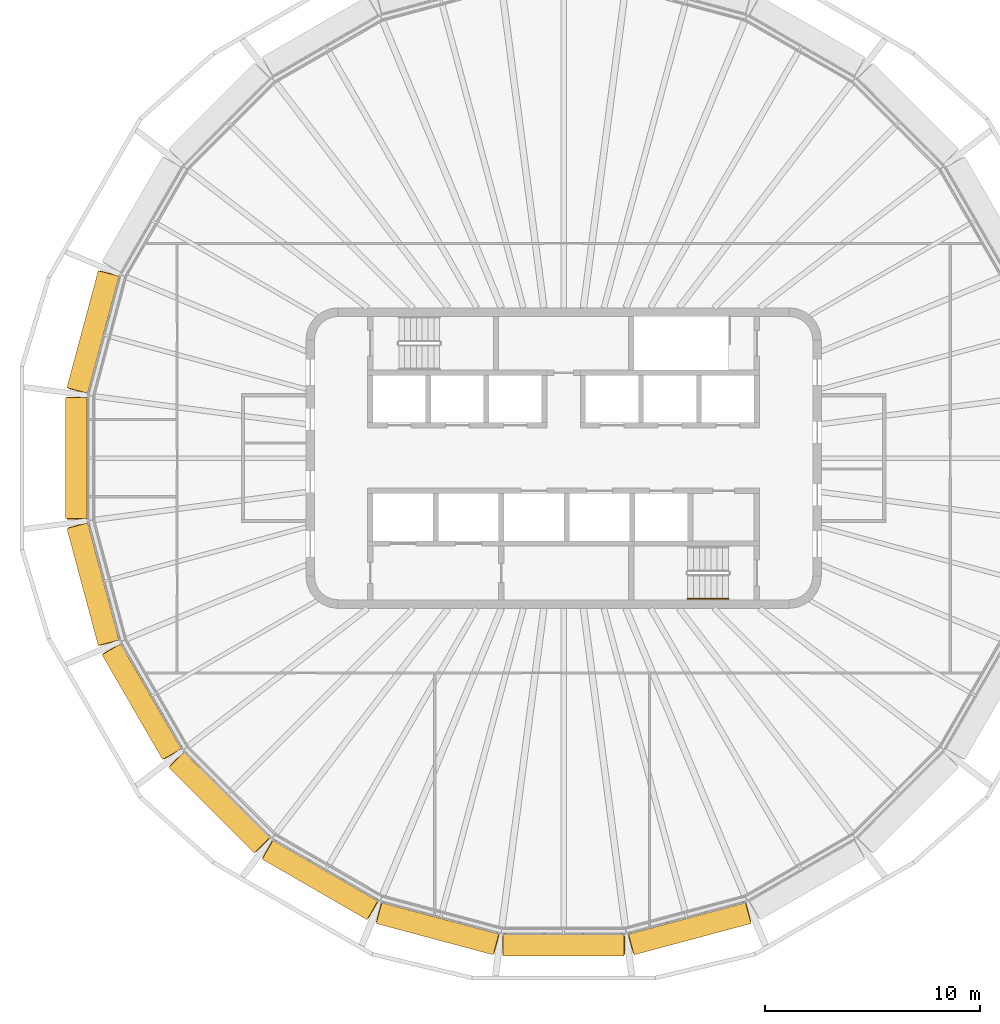
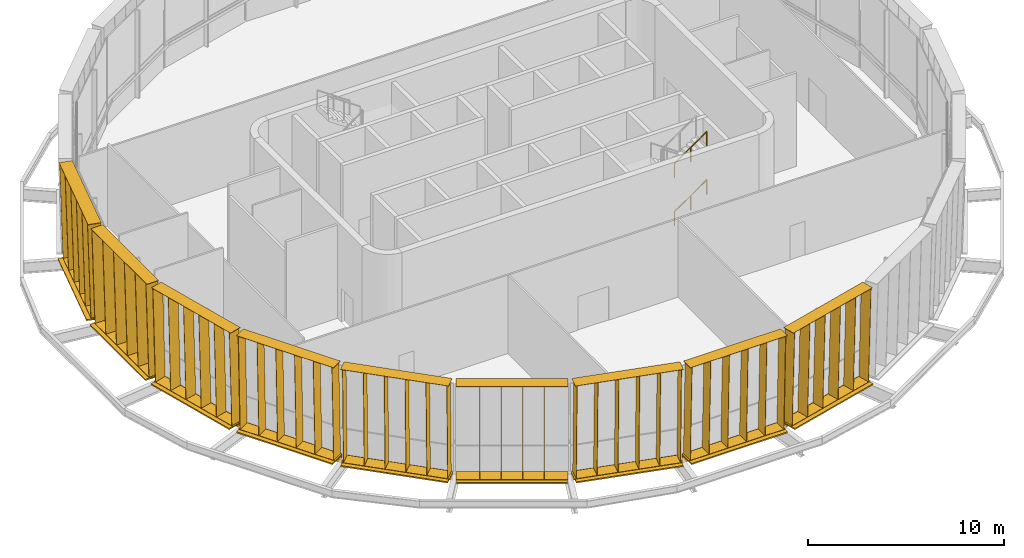
# One storey, part 11 of 14: 18 shading devices, 2 railings.
"""IFC4 building model written with IfcOpenShell, lengths in metres."""

from ifc_helpers import new_model, si_unit, direction, frame, origin, origin_2d, place, context, subcontext, project, spatial, rectangle, circle, extrude, material, type_object, element, save


model = new_model("IFC4")

# Units and contexts
model_context = context("Model", 3, precision=1e-05, world=origin(), true_north=direction((0.0, 1.0)))
body_context = subcontext(model_context, "Body", "Model", "MODEL_VIEW")
ifc_project = project(units=[si_unit("LENGTHUNIT", "METRE"), si_unit("AREAUNIT", "SQUARE_METRE"), si_unit("VOLUMEUNIT", "CUBIC_METRE"), si_unit("PLANEANGLEUNIT", "RADIAN"), si_unit("MASSUNIT", "GRAM", prefix="KILO")], contexts=[model_context])

# Site, building, storey
site_placement = place(None, origin())
site = spatial("IfcSite", under=ifc_project, at=site_placement, CompositionType="ELEMENT")
building_placement = place(site_placement, origin())
building = spatial("IfcBuilding", under=site, at=building_placement, Name="Sahrelin Media Tower", CompositionType="ELEMENT")
storey_placement = place(building_placement, frame((0.0, 0.0, 329.800048828125)))
storey = spatial("IfcBuildingStorey", under=building, at=storey_placement, Name="L73", CompositionType="ELEMENT", Elevation=329.800048828125)

# Shading devices
ifc_material_1 = material(Name="Champagne anodised aluminium 6063-T6", Category="aluminium")
shading_device_type_1 = type_object("IfcShadingDeviceType", Name="Fin cassette", PredefinedType="USERDEFINED", material=ifc_material_1)
placement_1 = place(storey_placement, frame((-21.415283203125, 5.73828125, 0.0), z_axis=(0.0, 0.0, 1.0), x_axis=(0.258807731996, 0.965928857556, 0.0)))
element("IfcShadingDevice", 1, at=placement_1, inside=storey, type_object=shading_device_type_1, Name="L73:FIN:L73-11", ObjectType="FIN", PredefinedType="USERDEFINED", context=body_context, shape_type="SweptSolid", body=[
    extrude(rectangle(XDim=5.699951171875, YDim=0.699951171875, at=origin_2d()), frame((0.0, 0.419921875, 0.0)), (0.0, 0.0, 1.0), 0.02001953125),
    extrude(rectangle(XDim=5.699951171875, YDim=0.699951171875, at=origin_2d()), frame((0.0, 0.60009765625, 5.89990234375)), (0.0, 0.0, 1.0), 0.02001953125),
    extrude(rectangle(XDim=0.02001953125, YDim=0.699951171875, at=origin_2d()), frame((-2.75, 0.419921875, 0.010009765625), z_axis=(0.0, 0.030524542951, 0.999534017569), x_axis=(-1.0, 0.0, 0.0)), (0.0, 0.0, 1.0), 5.902587890625),
    extrude(rectangle(XDim=0.02001953125, YDim=0.699951171875, at=origin_2d()), frame((-1.64990234375, 0.419921875, 0.010009765625), z_axis=(0.0, 0.030524542951, 0.999534017569), x_axis=(-1.0, 0.0, 0.0)), (0.0, 0.0, 1.0), 5.902587890625),
    extrude(rectangle(XDim=0.02001953125, YDim=0.699951171875, at=origin_2d()), frame((-0.550048828125, 0.419921875, 0.010009765625), z_axis=(0.0, 0.030524542951, 0.999534017569), x_axis=(-1.0, 0.0, 0.0)), (0.0, 0.0, 1.0), 5.902587890625),
    extrude(rectangle(XDim=0.02001953125, YDim=0.699951171875, at=origin_2d()), frame((0.550048828125, 0.419921875, 0.010009765625), z_axis=(0.0, 0.030524542951, 0.999534017569), x_axis=(-1.0, 0.0, 0.0)), (0.0, 0.0, 1.0), 5.902587890625),
    extrude(rectangle(XDim=0.02001953125, YDim=0.699951171875, at=origin_2d()), frame((1.64990234375, 0.419921875, 0.010009765625), z_axis=(0.0, 0.030524542951, 0.999534017569), x_axis=(-1.0, 0.0, 0.0)), (0.0, 0.0, 1.0), 5.902587890625),
    extrude(rectangle(XDim=0.02001953125, YDim=0.699951171875, at=origin_2d()), frame((2.75, 0.419921875, 0.010009765625), z_axis=(0.0, 0.030524542951, 0.999534017569), x_axis=(-1.0, 0.0, 0.0)), (0.0, 0.0, 1.0), 5.902587890625),
])
placement_2 = place(storey_placement, frame((-22.1708984375, 0.0, 0.0), z_axis=(0.0, 0.0, 1.0), x_axis=(0.0, 1.0, 0.0)))
element("IfcShadingDevice", 2, at=placement_2, inside=storey, type_object=shading_device_type_1, Name="L73:FIN:L73-12", ObjectType="FIN", PredefinedType="USERDEFINED", context=body_context, shape_type="SweptSolid", body=[
    extrude(rectangle(XDim=5.699951171875, YDim=0.699951171875, at=origin_2d()), frame((0.0, 0.419921875, 0.0)), (0.0, 0.0, 1.0), 0.02001953125),
    extrude(rectangle(XDim=5.699951171875, YDim=0.699951171875, at=origin_2d()), frame((0.0, 0.60009765625, 5.89990234375)), (0.0, 0.0, 1.0), 0.02001953125),
    extrude(rectangle(XDim=0.02001953125, YDim=0.699951171875, at=origin_2d()), frame((-2.75, 0.419921875, 0.010009765625), z_axis=(0.0, 0.030524542951, 0.999534017569), x_axis=(-1.0, 0.0, 0.0)), (0.0, 0.0, 1.0), 5.902587890625),
    extrude(rectangle(XDim=0.02001953125, YDim=0.699951171875, at=origin_2d()), frame((-1.64990234375, 0.419921875, 0.010009765625), z_axis=(0.0, 0.030524542951, 0.999534017569), x_axis=(-1.0, 0.0, 0.0)), (0.0, 0.0, 1.0), 5.902587890625),
    extrude(rectangle(XDim=0.02001953125, YDim=0.699951171875, at=origin_2d()), frame((-0.550048828125, 0.419921875, 0.010009765625), z_axis=(0.0, 0.030524542951, 0.999534017569), x_axis=(-1.0, 0.0, 0.0)), (0.0, 0.0, 1.0), 5.902587890625),
    extrude(rectangle(XDim=0.02001953125, YDim=0.699951171875, at=origin_2d()), frame((0.550048828125, 0.419921875, 0.010009765625), z_axis=(0.0, 0.030524542951, 0.999534017569), x_axis=(-1.0, 0.0, 0.0)), (0.0, 0.0, 1.0), 5.902587890625),
    extrude(rectangle(XDim=0.02001953125, YDim=0.699951171875, at=origin_2d()), frame((1.64990234375, 0.419921875, 0.010009765625), z_axis=(0.0, 0.030524542951, 0.999534017569), x_axis=(-1.0, 0.0, 0.0)), (0.0, 0.0, 1.0), 5.902587890625),
    extrude(rectangle(XDim=0.02001953125, YDim=0.699951171875, at=origin_2d()), frame((2.75, 0.419921875, 0.010009765625), z_axis=(0.0, 0.030524542951, 0.999534017569), x_axis=(-1.0, 0.0, 0.0)), (0.0, 0.0, 1.0), 5.902587890625),
])
placement_3 = place(storey_placement, frame((-21.415283203125, -5.73828125, 0.0), z_axis=(0.0, 0.0, 1.0), x_axis=(-0.258807731996, 0.965928857556, 0.0)))
element("IfcShadingDevice", 3, at=placement_3, inside=storey, type_object=shading_device_type_1, Name="L73:FIN:L73-13", ObjectType="FIN", PredefinedType="USERDEFINED", context=body_context, shape_type="SweptSolid", body=[
    extrude(rectangle(XDim=5.699951171875, YDim=0.699951171875, at=origin_2d()), frame((0.0, 0.419921875, 0.0)), (0.0, 0.0, 1.0), 0.02001953125),
    extrude(rectangle(XDim=5.699951171875, YDim=0.699951171875, at=origin_2d()), frame((0.0, 0.60009765625, 5.89990234375)), (0.0, 0.0, 1.0), 0.02001953125),
    extrude(rectangle(XDim=0.02001953125, YDim=0.699951171875, at=origin_2d()), frame((-2.75, 0.419921875, 0.010009765625), z_axis=(0.0, 0.030524542951, 0.999534017569), x_axis=(-1.0, 0.0, 0.0)), (0.0, 0.0, 1.0), 5.902587890625),
    extrude(rectangle(XDim=0.02001953125, YDim=0.699951171875, at=origin_2d()), frame((-1.64990234375, 0.419921875, 0.010009765625), z_axis=(0.0, 0.030524542951, 0.999534017569), x_axis=(-1.0, 0.0, 0.0)), (0.0, 0.0, 1.0), 5.902587890625),
    extrude(rectangle(XDim=0.02001953125, YDim=0.699951171875, at=origin_2d()), frame((-0.550048828125, 0.419921875, 0.010009765625), z_axis=(0.0, 0.030524542951, 0.999534017569), x_axis=(-1.0, 0.0, 0.0)), (0.0, 0.0, 1.0), 5.902587890625),
    extrude(rectangle(XDim=0.02001953125, YDim=0.699951171875, at=origin_2d()), frame((0.550048828125, 0.419921875, 0.010009765625), z_axis=(0.0, 0.030524542951, 0.999534017569), x_axis=(-1.0, 0.0, 0.0)), (0.0, 0.0, 1.0), 5.902587890625),
    extrude(rectangle(XDim=0.02001953125, YDim=0.699951171875, at=origin_2d()), frame((1.64990234375, 0.419921875, 0.010009765625), z_axis=(0.0, 0.030524542951, 0.999534017569), x_axis=(-1.0, 0.0, 0.0)), (0.0, 0.0, 1.0), 5.902587890625),
    extrude(rectangle(XDim=0.02001953125, YDim=0.699951171875, at=origin_2d()), frame((2.75, 0.419921875, 0.010009765625), z_axis=(0.0, 0.030524542951, 0.999534017569), x_axis=(-1.0, 0.0, 0.0)), (0.0, 0.0, 1.0), 5.902587890625),
])
placement_4 = place(storey_placement, frame((-19.200439453125, -11.08544921875, 0.0), z_axis=(0.0, 0.0, 1.0), x_axis=(-0.500011000363, 0.866019052629, 0.0)))
element("IfcShadingDevice", 4, at=placement_4, inside=storey, type_object=shading_device_type_1, Name="L73:FIN:L73-14", ObjectType="FIN", PredefinedType="USERDEFINED", context=body_context, shape_type="SweptSolid", body=[
    extrude(rectangle(XDim=5.699951171875, YDim=0.699951171875, at=origin_2d()), frame((0.0, 0.419921875, 0.0)), (0.0, 0.0, 1.0), 0.02001953125),
    extrude(rectangle(XDim=5.699951171875, YDim=0.699951171875, at=origin_2d()), frame((0.0, 0.60009765625, 5.89990234375)), (0.0, 0.0, 1.0), 0.02001953125),
    extrude(rectangle(XDim=0.02001953125, YDim=0.699951171875, at=origin_2d()), frame((-2.75, 0.419921875, 0.010009765625), z_axis=(0.0, 0.030524542951, 0.999534017569), x_axis=(-1.0, 0.0, 0.0)), (0.0, 0.0, 1.0), 5.902587890625),
    extrude(rectangle(XDim=0.02001953125, YDim=0.699951171875, at=origin_2d()), frame((-1.64990234375, 0.419921875, 0.010009765625), z_axis=(0.0, 0.030524542951, 0.999534017569), x_axis=(-1.0, 0.0, 0.0)), (0.0, 0.0, 1.0), 5.902587890625),
    extrude(rectangle(XDim=0.02001953125, YDim=0.699951171875, at=origin_2d()), frame((-0.550048828125, 0.419921875, 0.010009765625), z_axis=(0.0, 0.030524542951, 0.999534017569), x_axis=(-1.0, 0.0, 0.0)), (0.0, 0.0, 1.0), 5.902587890625),
    extrude(rectangle(XDim=0.02001953125, YDim=0.699951171875, at=origin_2d()), frame((0.550048828125, 0.419921875, 0.010009765625), z_axis=(0.0, 0.030524542951, 0.999534017569), x_axis=(-1.0, 0.0, 0.0)), (0.0, 0.0, 1.0), 5.902587890625),
    extrude(rectangle(XDim=0.02001953125, YDim=0.699951171875, at=origin_2d()), frame((1.64990234375, 0.419921875, 0.010009765625), z_axis=(0.0, 0.030524542951, 0.999534017569), x_axis=(-1.0, 0.0, 0.0)), (0.0, 0.0, 1.0), 5.902587890625),
    extrude(rectangle(XDim=0.02001953125, YDim=0.699951171875, at=origin_2d()), frame((2.75, 0.419921875, 0.010009765625), z_axis=(0.0, 0.030524542951, 0.999534017569), x_axis=(-1.0, 0.0, 0.0)), (0.0, 0.0, 1.0), 5.902587890625),
])
placement_5 = place(storey_placement, frame((-15.67724609375, -15.67724609375, 0.0), z_axis=(0.0, 0.0, 1.0), x_axis=(-0.707106781187, 0.707106781187, 0.0)))
element("IfcShadingDevice", 5, at=placement_5, inside=storey, type_object=shading_device_type_1, Name="L73:FIN:L73-15", ObjectType="FIN", PredefinedType="USERDEFINED", context=body_context, shape_type="SweptSolid", body=[
    extrude(rectangle(XDim=5.699951171875, YDim=0.699951171875, at=origin_2d()), frame((0.0, 0.419921875, 0.0)), (0.0, 0.0, 1.0), 0.02001953125),
    extrude(rectangle(XDim=5.699951171875, YDim=0.699951171875, at=origin_2d()), frame((0.0, 0.60009765625, 5.89990234375)), (0.0, 0.0, 1.0), 0.02001953125),
    extrude(rectangle(XDim=0.02001953125, YDim=0.699951171875, at=origin_2d()), frame((-2.75, 0.419921875, 0.010009765625), z_axis=(0.0, 0.030524542951, 0.999534017569), x_axis=(-1.0, 0.0, 0.0)), (0.0, 0.0, 1.0), 5.902587890625),
    extrude(rectangle(XDim=0.02001953125, YDim=0.699951171875, at=origin_2d()), frame((-1.64990234375, 0.419921875, 0.010009765625), z_axis=(0.0, 0.030524542951, 0.999534017569), x_axis=(-1.0, 0.0, 0.0)), (0.0, 0.0, 1.0), 5.902587890625),
    extrude(rectangle(XDim=0.02001953125, YDim=0.699951171875, at=origin_2d()), frame((-0.550048828125, 0.419921875, 0.010009765625), z_axis=(0.0, 0.030524542951, 0.999534017569), x_axis=(-1.0, 0.0, 0.0)), (0.0, 0.0, 1.0), 5.902587890625),
    extrude(rectangle(XDim=0.02001953125, YDim=0.699951171875, at=origin_2d()), frame((0.550048828125, 0.419921875, 0.010009765625), z_axis=(0.0, 0.030524542951, 0.999534017569), x_axis=(-1.0, 0.0, 0.0)), (0.0, 0.0, 1.0), 5.902587890625),
    extrude(rectangle(XDim=0.02001953125, YDim=0.699951171875, at=origin_2d()), frame((1.64990234375, 0.419921875, 0.010009765625), z_axis=(0.0, 0.030524542951, 0.999534017569), x_axis=(-1.0, 0.0, 0.0)), (0.0, 0.0, 1.0), 5.902587890625),
    extrude(rectangle(XDim=0.02001953125, YDim=0.699951171875, at=origin_2d()), frame((2.75, 0.419921875, 0.010009765625), z_axis=(0.0, 0.030524542951, 0.999534017569), x_axis=(-1.0, 0.0, 0.0)), (0.0, 0.0, 1.0), 5.902587890625),
])
placement_6 = place(storey_placement, frame((-11.08544921875, -19.200439453125, 0.0), z_axis=(0.0, 0.0, 1.0), x_axis=(-0.866019052629, 0.500011000363, 0.0)))
element("IfcShadingDevice", 6, at=placement_6, inside=storey, type_object=shading_device_type_1, Name="L73:FIN:L73-16", ObjectType="FIN", PredefinedType="USERDEFINED", context=body_context, shape_type="SweptSolid", body=[
    extrude(rectangle(XDim=5.699951171875, YDim=0.699951171875, at=origin_2d()), frame((0.0, 0.419921875, 0.0)), (0.0, 0.0, 1.0), 0.02001953125),
    extrude(rectangle(XDim=5.699951171875, YDim=0.699951171875, at=origin_2d()), frame((0.0, 0.60009765625, 5.89990234375)), (0.0, 0.0, 1.0), 0.02001953125),
    extrude(rectangle(XDim=0.02001953125, YDim=0.699951171875, at=origin_2d()), frame((-2.75, 0.419921875, 0.010009765625), z_axis=(0.0, 0.030524542951, 0.999534017569), x_axis=(-1.0, 0.0, 0.0)), (0.0, 0.0, 1.0), 5.902587890625),
    extrude(rectangle(XDim=0.02001953125, YDim=0.699951171875, at=origin_2d()), frame((-1.64990234375, 0.419921875, 0.010009765625), z_axis=(0.0, 0.030524542951, 0.999534017569), x_axis=(-1.0, 0.0, 0.0)), (0.0, 0.0, 1.0), 5.902587890625),
    extrude(rectangle(XDim=0.02001953125, YDim=0.699951171875, at=origin_2d()), frame((-0.550048828125, 0.419921875, 0.010009765625), z_axis=(0.0, 0.030524542951, 0.999534017569), x_axis=(-1.0, 0.0, 0.0)), (0.0, 0.0, 1.0), 5.902587890625),
    extrude(rectangle(XDim=0.02001953125, YDim=0.699951171875, at=origin_2d()), frame((0.550048828125, 0.419921875, 0.010009765625), z_axis=(0.0, 0.030524542951, 0.999534017569), x_axis=(-1.0, 0.0, 0.0)), (0.0, 0.0, 1.0), 5.902587890625),
    extrude(rectangle(XDim=0.02001953125, YDim=0.699951171875, at=origin_2d()), frame((1.64990234375, 0.419921875, 0.010009765625), z_axis=(0.0, 0.030524542951, 0.999534017569), x_axis=(-1.0, 0.0, 0.0)), (0.0, 0.0, 1.0), 5.902587890625),
    extrude(rectangle(XDim=0.02001953125, YDim=0.699951171875, at=origin_2d()), frame((2.75, 0.419921875, 0.010009765625), z_axis=(0.0, 0.030524542951, 0.999534017569), x_axis=(-1.0, 0.0, 0.0)), (0.0, 0.0, 1.0), 5.902587890625),
])
placement_7 = place(storey_placement, frame((-5.73828125, -21.415283203125, 0.0), z_axis=(0.0, 0.0, 1.0), x_axis=(-0.965928857556, 0.258807731996, 0.0)))
element("IfcShadingDevice", 7, at=placement_7, inside=storey, type_object=shading_device_type_1, Name="L73:FIN:L73-17", ObjectType="FIN", PredefinedType="USERDEFINED", context=body_context, shape_type="SweptSolid", body=[
    extrude(rectangle(XDim=5.699951171875, YDim=0.699951171875, at=origin_2d()), frame((0.0, 0.419921875, 0.0)), (0.0, 0.0, 1.0), 0.02001953125),
    extrude(rectangle(XDim=5.699951171875, YDim=0.699951171875, at=origin_2d()), frame((0.0, 0.60009765625, 5.89990234375)), (0.0, 0.0, 1.0), 0.02001953125),
    extrude(rectangle(XDim=0.02001953125, YDim=0.699951171875, at=origin_2d()), frame((-2.75, 0.419921875, 0.010009765625), z_axis=(0.0, 0.030524542951, 0.999534017569), x_axis=(-1.0, 0.0, 0.0)), (0.0, 0.0, 1.0), 5.902587890625),
    extrude(rectangle(XDim=0.02001953125, YDim=0.699951171875, at=origin_2d()), frame((-1.64990234375, 0.419921875, 0.010009765625), z_axis=(0.0, 0.030524542951, 0.999534017569), x_axis=(-1.0, 0.0, 0.0)), (0.0, 0.0, 1.0), 5.902587890625),
    extrude(rectangle(XDim=0.02001953125, YDim=0.699951171875, at=origin_2d()), frame((-0.550048828125, 0.419921875, 0.010009765625), z_axis=(0.0, 0.030524542951, 0.999534017569), x_axis=(-1.0, 0.0, 0.0)), (0.0, 0.0, 1.0), 5.902587890625),
    extrude(rectangle(XDim=0.02001953125, YDim=0.699951171875, at=origin_2d()), frame((0.550048828125, 0.419921875, 0.010009765625), z_axis=(0.0, 0.030524542951, 0.999534017569), x_axis=(-1.0, 0.0, 0.0)), (0.0, 0.0, 1.0), 5.902587890625),
    extrude(rectangle(XDim=0.02001953125, YDim=0.699951171875, at=origin_2d()), frame((1.64990234375, 0.419921875, 0.010009765625), z_axis=(0.0, 0.030524542951, 0.999534017569), x_axis=(-1.0, 0.0, 0.0)), (0.0, 0.0, 1.0), 5.902587890625),
    extrude(rectangle(XDim=0.02001953125, YDim=0.699951171875, at=origin_2d()), frame((2.75, 0.419921875, 0.010009765625), z_axis=(0.0, 0.030524542951, 0.999534017569), x_axis=(-1.0, 0.0, 0.0)), (0.0, 0.0, 1.0), 5.902587890625),
])
placement_8 = place(storey_placement, frame((0.0, -22.1708984375, 0.0), z_axis=(0.0, 0.0, 1.0), x_axis=(-1.0, 0.0, 0.0)))
element("IfcShadingDevice", 8, at=placement_8, inside=storey, type_object=shading_device_type_1, Name="L73:FIN:L73-18", ObjectType="FIN", PredefinedType="USERDEFINED", context=body_context, shape_type="SweptSolid", body=[
    extrude(rectangle(XDim=5.699951171875, YDim=0.699951171875, at=origin_2d()), frame((0.0, 0.419921875, 0.0)), (0.0, 0.0, 1.0), 0.02001953125),
    extrude(rectangle(XDim=5.699951171875, YDim=0.699951171875, at=origin_2d()), frame((0.0, 0.60009765625, 5.89990234375)), (0.0, 0.0, 1.0), 0.02001953125),
    extrude(rectangle(XDim=0.02001953125, YDim=0.699951171875, at=origin_2d()), frame((-2.75, 0.419921875, 0.010009765625), z_axis=(0.0, 0.030524542951, 0.999534017569), x_axis=(-1.0, 0.0, 0.0)), (0.0, 0.0, 1.0), 5.902587890625),
    extrude(rectangle(XDim=0.02001953125, YDim=0.699951171875, at=origin_2d()), frame((-1.64990234375, 0.419921875, 0.010009765625), z_axis=(0.0, 0.030524542951, 0.999534017569), x_axis=(-1.0, 0.0, 0.0)), (0.0, 0.0, 1.0), 5.902587890625),
    extrude(rectangle(XDim=0.02001953125, YDim=0.699951171875, at=origin_2d()), frame((-0.550048828125, 0.419921875, 0.010009765625), z_axis=(0.0, 0.030524542951, 0.999534017569), x_axis=(-1.0, 0.0, 0.0)), (0.0, 0.0, 1.0), 5.902587890625),
    extrude(rectangle(XDim=0.02001953125, YDim=0.699951171875, at=origin_2d()), frame((0.550048828125, 0.419921875, 0.010009765625), z_axis=(0.0, 0.030524542951, 0.999534017569), x_axis=(-1.0, 0.0, 0.0)), (0.0, 0.0, 1.0), 5.902587890625),
    extrude(rectangle(XDim=0.02001953125, YDim=0.699951171875, at=origin_2d()), frame((1.64990234375, 0.419921875, 0.010009765625), z_axis=(0.0, 0.030524542951, 0.999534017569), x_axis=(-1.0, 0.0, 0.0)), (0.0, 0.0, 1.0), 5.902587890625),
    extrude(rectangle(XDim=0.02001953125, YDim=0.699951171875, at=origin_2d()), frame((2.75, 0.419921875, 0.010009765625), z_axis=(0.0, 0.030524542951, 0.999534017569), x_axis=(-1.0, 0.0, 0.0)), (0.0, 0.0, 1.0), 5.902587890625),
])
placement_9 = place(storey_placement, frame((5.73828125, -21.415283203125, 0.0), z_axis=(0.0, 0.0, 1.0), x_axis=(-0.965928857556, -0.258807731996, 0.0)))
element("IfcShadingDevice", 9, at=placement_9, inside=storey, type_object=shading_device_type_1, Name="L73:FIN:L73-19", ObjectType="FIN", PredefinedType="USERDEFINED", context=body_context, shape_type="SweptSolid", body=[
    extrude(rectangle(XDim=5.699951171875, YDim=0.699951171875, at=origin_2d()), frame((0.0, 0.419921875, 0.0)), (0.0, 0.0, 1.0), 0.02001953125),
    extrude(rectangle(XDim=5.699951171875, YDim=0.699951171875, at=origin_2d()), frame((0.0, 0.60009765625, 5.89990234375)), (0.0, 0.0, 1.0), 0.02001953125),
    extrude(rectangle(XDim=0.02001953125, YDim=0.699951171875, at=origin_2d()), frame((-2.75, 0.419921875, 0.010009765625), z_axis=(0.0, 0.030524542951, 0.999534017569), x_axis=(-1.0, 0.0, 0.0)), (0.0, 0.0, 1.0), 5.902587890625),
    extrude(rectangle(XDim=0.02001953125, YDim=0.699951171875, at=origin_2d()), frame((-1.64990234375, 0.419921875, 0.010009765625), z_axis=(0.0, 0.030524542951, 0.999534017569), x_axis=(-1.0, 0.0, 0.0)), (0.0, 0.0, 1.0), 5.902587890625),
    extrude(rectangle(XDim=0.02001953125, YDim=0.699951171875, at=origin_2d()), frame((-0.550048828125, 0.419921875, 0.010009765625), z_axis=(0.0, 0.030524542951, 0.999534017569), x_axis=(-1.0, 0.0, 0.0)), (0.0, 0.0, 1.0), 5.902587890625),
    extrude(rectangle(XDim=0.02001953125, YDim=0.699951171875, at=origin_2d()), frame((0.550048828125, 0.419921875, 0.010009765625), z_axis=(0.0, 0.030524542951, 0.999534017569), x_axis=(-1.0, 0.0, 0.0)), (0.0, 0.0, 1.0), 5.902587890625),
    extrude(rectangle(XDim=0.02001953125, YDim=0.699951171875, at=origin_2d()), frame((1.64990234375, 0.419921875, 0.010009765625), z_axis=(0.0, 0.030524542951, 0.999534017569), x_axis=(-1.0, 0.0, 0.0)), (0.0, 0.0, 1.0), 5.902587890625),
    extrude(rectangle(XDim=0.02001953125, YDim=0.699951171875, at=origin_2d()), frame((2.75, 0.419921875, 0.010009765625), z_axis=(0.0, 0.030524542951, 0.999534017569), x_axis=(-1.0, 0.0, 0.0)), (0.0, 0.0, 1.0), 5.902587890625),
])

# Railings
ifc_material_2 = material(Name="Steel S355", Category="steel")
railing_type = type_object("IfcRailingType", Name="Stair handrail 900", PredefinedType="HANDRAIL", material=ifc_material_2)
for number, where, name in (
    (10, (5.77490234375, -6.550048828125, 1.6875), "L73 ST2 stair handrail 2"),
    (11, (5.77490234375, -6.550048828125, 4.6875), "L73 ST2 stair handrail 4"),
):
    element("IfcRailing", number, at=place(storey_placement, frame(where)), inside=storey, type_object=railing_type, Name=name, PredefinedType="HANDRAIL", context=body_context, shape_type="SweptSolid", body=[
        extrude(circle(Radius=0.02392578125, at=origin_2d()), frame((0.0, 0.0, 0.8759765625), z_axis=(0.822796852201, 0.0, 0.56833558749), x_axis=(0.0, 1.0, 0.0)), (0.0, 0.0, 1.0), 2.309326171875),
        extrude(circle(Radius=0.02099609375, at=origin_2d()), origin(), (0.0, 0.0, 1.0), 0.851806640625),
        extrude(circle(Radius=0.02099609375, at=origin_2d()), frame((0.9501953125, 0.0, 0.65625)), (0.0, 0.0, 1.0), 0.851806640625),
        extrude(circle(Radius=0.02099609375, at=origin_2d()), frame((1.900146484375, 0.0, 1.3125)), (0.0, 0.0, 1.0), 0.851806640625),
    ])

# Shading devices
shading_device_type_2 = type_object("IfcShadingDeviceType", Name="Sunshade band", PredefinedType="USERDEFINED", material=ifc_material_1)
element("IfcShadingDevice", 12, at=placement_1, inside=storey, type_object=shading_device_type_2, Name="L73:SUN:L73-11", ObjectType="SUNSHADE", PredefinedType="USERDEFINED", context=body_context, shape_type="SweptSolid", body=[
    extrude(rectangle(XDim=5.6376953125, YDim=0.050048828125, at=origin_2d()), frame((0.0, 0.044921875, -0.55126953125)), (0.0, 0.0, 1.0), 0.471435546875),
    extrude(rectangle(XDim=5.6376953125, YDim=1.0, at=origin_2d()), frame((0.0, 0.52001953125, -0.080078125)), (0.0, 0.0, 1.0), 0.080078125),
    extrude(rectangle(XDim=0.10009765625, YDim=0.074951171875, at=origin_2d()), frame((-2.718994140625, -0.017578125, -0.52001953125)), (0.0, 0.0, 1.0), 0.300048828125),
    extrude(rectangle(XDim=0.10009765625, YDim=0.074951171875, at=origin_2d()), frame((-0.90625, -0.017578125, -0.52001953125)), (0.0, 0.0, 1.0), 0.300048828125),
    extrude(rectangle(XDim=0.10009765625, YDim=0.074951171875, at=origin_2d()), frame((0.90625, -0.017578125, -0.52001953125)), (0.0, 0.0, 1.0), 0.300048828125),
    extrude(rectangle(XDim=0.10009765625, YDim=0.074951171875, at=origin_2d()), frame((2.718994140625, -0.017578125, -0.52001953125)), (0.0, 0.0, 1.0), 0.300048828125),
])
element("IfcShadingDevice", 13, at=placement_2, inside=storey, type_object=shading_device_type_2, Name="L73:SUN:L73-12", ObjectType="SUNSHADE", PredefinedType="USERDEFINED", context=body_context, shape_type="SweptSolid", body=[
    extrude(rectangle(XDim=5.6376953125, YDim=0.050048828125, at=origin_2d()), frame((0.0, 0.044921875, -0.55126953125)), (0.0, 0.0, 1.0), 0.471435546875),
    extrude(rectangle(XDim=5.6376953125, YDim=1.0, at=origin_2d()), frame((0.0, 0.52001953125, -0.080078125)), (0.0, 0.0, 1.0), 0.080078125),
    extrude(rectangle(XDim=0.10009765625, YDim=0.074951171875, at=origin_2d()), frame((-2.71875, -0.017578125, -0.52001953125)), (0.0, 0.0, 1.0), 0.300048828125),
    extrude(rectangle(XDim=0.10009765625, YDim=0.074951171875, at=origin_2d()), frame((-0.90625, -0.017578125, -0.52001953125)), (0.0, 0.0, 1.0), 0.300048828125),
    extrude(rectangle(XDim=0.10009765625, YDim=0.074951171875, at=origin_2d()), frame((0.90625, -0.017578125, -0.52001953125)), (0.0, 0.0, 1.0), 0.300048828125),
    extrude(rectangle(XDim=0.10009765625, YDim=0.074951171875, at=origin_2d()), frame((2.71875, -0.017578125, -0.52001953125)), (0.0, 0.0, 1.0), 0.300048828125),
])
element("IfcShadingDevice", 14, at=placement_3, inside=storey, type_object=shading_device_type_2, Name="L73:SUN:L73-13", ObjectType="SUNSHADE", PredefinedType="USERDEFINED", context=body_context, shape_type="SweptSolid", body=[
    extrude(rectangle(XDim=5.6376953125, YDim=0.050048828125, at=origin_2d()), frame((0.0, 0.044921875, -0.55126953125)), (0.0, 0.0, 1.0), 0.471435546875),
    extrude(rectangle(XDim=5.6376953125, YDim=1.0, at=origin_2d()), frame((0.0, 0.52001953125, -0.080078125)), (0.0, 0.0, 1.0), 0.080078125),
    extrude(rectangle(XDim=0.10009765625, YDim=0.074951171875, at=origin_2d()), frame((-2.718994140625, -0.017578125, -0.52001953125)), (0.0, 0.0, 1.0), 0.300048828125),
    extrude(rectangle(XDim=0.10009765625, YDim=0.074951171875, at=origin_2d()), frame((-0.90625, -0.017578125, -0.52001953125)), (0.0, 0.0, 1.0), 0.300048828125),
    extrude(rectangle(XDim=0.10009765625, YDim=0.074951171875, at=origin_2d()), frame((0.90625, -0.017578125, -0.52001953125)), (0.0, 0.0, 1.0), 0.300048828125),
    extrude(rectangle(XDim=0.10009765625, YDim=0.074951171875, at=origin_2d()), frame((2.718994140625, -0.017578125, -0.52001953125)), (0.0, 0.0, 1.0), 0.300048828125),
])
element("IfcShadingDevice", 15, at=placement_4, inside=storey, type_object=shading_device_type_2, Name="L73:SUN:L73-14", ObjectType="SUNSHADE", PredefinedType="USERDEFINED", context=body_context, shape_type="SweptSolid", body=[
    extrude(rectangle(XDim=5.6376953125, YDim=0.050048828125, at=origin_2d()), frame((0.0, 0.044921875, -0.55126953125)), (0.0, 0.0, 1.0), 0.471435546875),
    extrude(rectangle(XDim=5.6376953125, YDim=1.0, at=origin_2d()), frame((0.0, 0.52001953125, -0.080078125)), (0.0, 0.0, 1.0), 0.080078125),
    extrude(rectangle(XDim=0.10009765625, YDim=0.074951171875, at=origin_2d()), frame((-2.71875, -0.017578125, -0.52001953125)), (0.0, 0.0, 1.0), 0.300048828125),
    extrude(rectangle(XDim=0.10009765625, YDim=0.074951171875, at=origin_2d()), frame((-0.90625, -0.017578125, -0.52001953125)), (0.0, 0.0, 1.0), 0.300048828125),
    extrude(rectangle(XDim=0.10009765625, YDim=0.074951171875, at=origin_2d()), frame((0.90625, -0.017578125, -0.52001953125)), (0.0, 0.0, 1.0), 0.300048828125),
    extrude(rectangle(XDim=0.10009765625, YDim=0.074951171875, at=origin_2d()), frame((2.71875, -0.017578125, -0.52001953125)), (0.0, 0.0, 1.0), 0.300048828125),
])
element("IfcShadingDevice", 16, at=placement_5, inside=storey, type_object=shading_device_type_2, Name="L73:SUN:L73-15", ObjectType="SUNSHADE", PredefinedType="USERDEFINED", context=body_context, shape_type="SweptSolid", body=[
    extrude(rectangle(XDim=5.6376953125, YDim=0.050048828125, at=origin_2d()), frame((0.0, 0.044921875, -0.55126953125)), (0.0, 0.0, 1.0), 0.471435546875),
    extrude(rectangle(XDim=5.6376953125, YDim=1.0, at=origin_2d()), frame((0.0, 0.52001953125, -0.080078125)), (0.0, 0.0, 1.0), 0.080078125),
    extrude(rectangle(XDim=0.10009765625, YDim=0.074951171875, at=origin_2d()), frame((-2.718994140625, -0.017578125, -0.52001953125)), (0.0, 0.0, 1.0), 0.300048828125),
    extrude(rectangle(XDim=0.10009765625, YDim=0.074951171875, at=origin_2d()), frame((-0.90625, -0.017578125, -0.52001953125)), (0.0, 0.0, 1.0), 0.300048828125),
    extrude(rectangle(XDim=0.10009765625, YDim=0.074951171875, at=origin_2d()), frame((0.90625, -0.017578125, -0.52001953125)), (0.0, 0.0, 1.0), 0.300048828125),
    extrude(rectangle(XDim=0.10009765625, YDim=0.074951171875, at=origin_2d()), frame((2.718994140625, -0.017578125, -0.52001953125)), (0.0, 0.0, 1.0), 0.300048828125),
])
element("IfcShadingDevice", 17, at=placement_6, inside=storey, type_object=shading_device_type_2, Name="L73:SUN:L73-16", ObjectType="SUNSHADE", PredefinedType="USERDEFINED", context=body_context, shape_type="SweptSolid", body=[
    extrude(rectangle(XDim=5.6376953125, YDim=0.050048828125, at=origin_2d()), frame((0.0, 0.044921875, -0.55126953125)), (0.0, 0.0, 1.0), 0.471435546875),
    extrude(rectangle(XDim=5.6376953125, YDim=1.0, at=origin_2d()), frame((0.0, 0.52001953125, -0.080078125)), (0.0, 0.0, 1.0), 0.080078125),
    extrude(rectangle(XDim=0.10009765625, YDim=0.074951171875, at=origin_2d()), frame((-2.71875, -0.017578125, -0.52001953125)), (0.0, 0.0, 1.0), 0.300048828125),
    extrude(rectangle(XDim=0.10009765625, YDim=0.074951171875, at=origin_2d()), frame((-0.90625, -0.017578125, -0.52001953125)), (0.0, 0.0, 1.0), 0.300048828125),
    extrude(rectangle(XDim=0.10009765625, YDim=0.074951171875, at=origin_2d()), frame((0.90625, -0.017578125, -0.52001953125)), (0.0, 0.0, 1.0), 0.300048828125),
    extrude(rectangle(XDim=0.10009765625, YDim=0.074951171875, at=origin_2d()), frame((2.71875, -0.017578125, -0.52001953125)), (0.0, 0.0, 1.0), 0.300048828125),
])
element("IfcShadingDevice", 18, at=placement_7, inside=storey, type_object=shading_device_type_2, Name="L73:SUN:L73-17", ObjectType="SUNSHADE", PredefinedType="USERDEFINED", context=body_context, shape_type="SweptSolid", body=[
    extrude(rectangle(XDim=5.6376953125, YDim=0.050048828125, at=origin_2d()), frame((0.0, 0.044921875, -0.55126953125)), (0.0, 0.0, 1.0), 0.471435546875),
    extrude(rectangle(XDim=5.6376953125, YDim=1.0, at=origin_2d()), frame((0.0, 0.52001953125, -0.080078125)), (0.0, 0.0, 1.0), 0.080078125),
    extrude(rectangle(XDim=0.10009765625, YDim=0.074951171875, at=origin_2d()), frame((-2.718994140625, -0.017578125, -0.52001953125)), (0.0, 0.0, 1.0), 0.300048828125),
    extrude(rectangle(XDim=0.10009765625, YDim=0.074951171875, at=origin_2d()), frame((-0.90625, -0.017578125, -0.52001953125)), (0.0, 0.0, 1.0), 0.300048828125),
    extrude(rectangle(XDim=0.10009765625, YDim=0.074951171875, at=origin_2d()), frame((0.90625, -0.017578125, -0.52001953125)), (0.0, 0.0, 1.0), 0.300048828125),
    extrude(rectangle(XDim=0.10009765625, YDim=0.074951171875, at=origin_2d()), frame((2.718994140625, -0.017578125, -0.52001953125)), (0.0, 0.0, 1.0), 0.300048828125),
])
element("IfcShadingDevice", 19, at=placement_8, inside=storey, type_object=shading_device_type_2, Name="L73:SUN:L73-18", ObjectType="SUNSHADE", PredefinedType="USERDEFINED", context=body_context, shape_type="SweptSolid", body=[
    extrude(rectangle(XDim=5.6376953125, YDim=0.050048828125, at=origin_2d()), frame((0.0, 0.044921875, -0.55126953125)), (0.0, 0.0, 1.0), 0.471435546875),
    extrude(rectangle(XDim=5.6376953125, YDim=1.0, at=origin_2d()), frame((0.0, 0.52001953125, -0.080078125)), (0.0, 0.0, 1.0), 0.080078125),
    extrude(rectangle(XDim=0.10009765625, YDim=0.074951171875, at=origin_2d()), frame((-2.71875, -0.017578125, -0.52001953125)), (0.0, 0.0, 1.0), 0.300048828125),
    extrude(rectangle(XDim=0.10009765625, YDim=0.074951171875, at=origin_2d()), frame((-0.90625, -0.017578125, -0.52001953125)), (0.0, 0.0, 1.0), 0.300048828125),
    extrude(rectangle(XDim=0.10009765625, YDim=0.074951171875, at=origin_2d()), frame((0.90625, -0.017578125, -0.52001953125)), (0.0, 0.0, 1.0), 0.300048828125),
    extrude(rectangle(XDim=0.10009765625, YDim=0.074951171875, at=origin_2d()), frame((2.71875, -0.017578125, -0.52001953125)), (0.0, 0.0, 1.0), 0.300048828125),
])
element("IfcShadingDevice", 20, at=placement_9, inside=storey, type_object=shading_device_type_2, Name="L73:SUN:L73-19", ObjectType="SUNSHADE", PredefinedType="USERDEFINED", context=body_context, shape_type="SweptSolid", body=[
    extrude(rectangle(XDim=5.6376953125, YDim=0.050048828125, at=origin_2d()), frame((0.0, 0.044921875, -0.55126953125)), (0.0, 0.0, 1.0), 0.471435546875),
    extrude(rectangle(XDim=5.6376953125, YDim=1.0, at=origin_2d()), frame((0.0, 0.52001953125, -0.080078125)), (0.0, 0.0, 1.0), 0.080078125),
    extrude(rectangle(XDim=0.10009765625, YDim=0.074951171875, at=origin_2d()), frame((-2.718994140625, -0.017578125, -0.52001953125)), (0.0, 0.0, 1.0), 0.300048828125),
    extrude(rectangle(XDim=0.10009765625, YDim=0.074951171875, at=origin_2d()), frame((-0.90625, -0.017578125, -0.52001953125)), (0.0, 0.0, 1.0), 0.300048828125),
    extrude(rectangle(XDim=0.10009765625, YDim=0.074951171875, at=origin_2d()), frame((0.90625, -0.017578125, -0.52001953125)), (0.0, 0.0, 1.0), 0.300048828125),
    extrude(rectangle(XDim=0.10009765625, YDim=0.074951171875, at=origin_2d()), frame((2.718994140625, -0.017578125, -0.52001953125)), (0.0, 0.0, 1.0), 0.300048828125),
])

save(model, "model.ifc")
